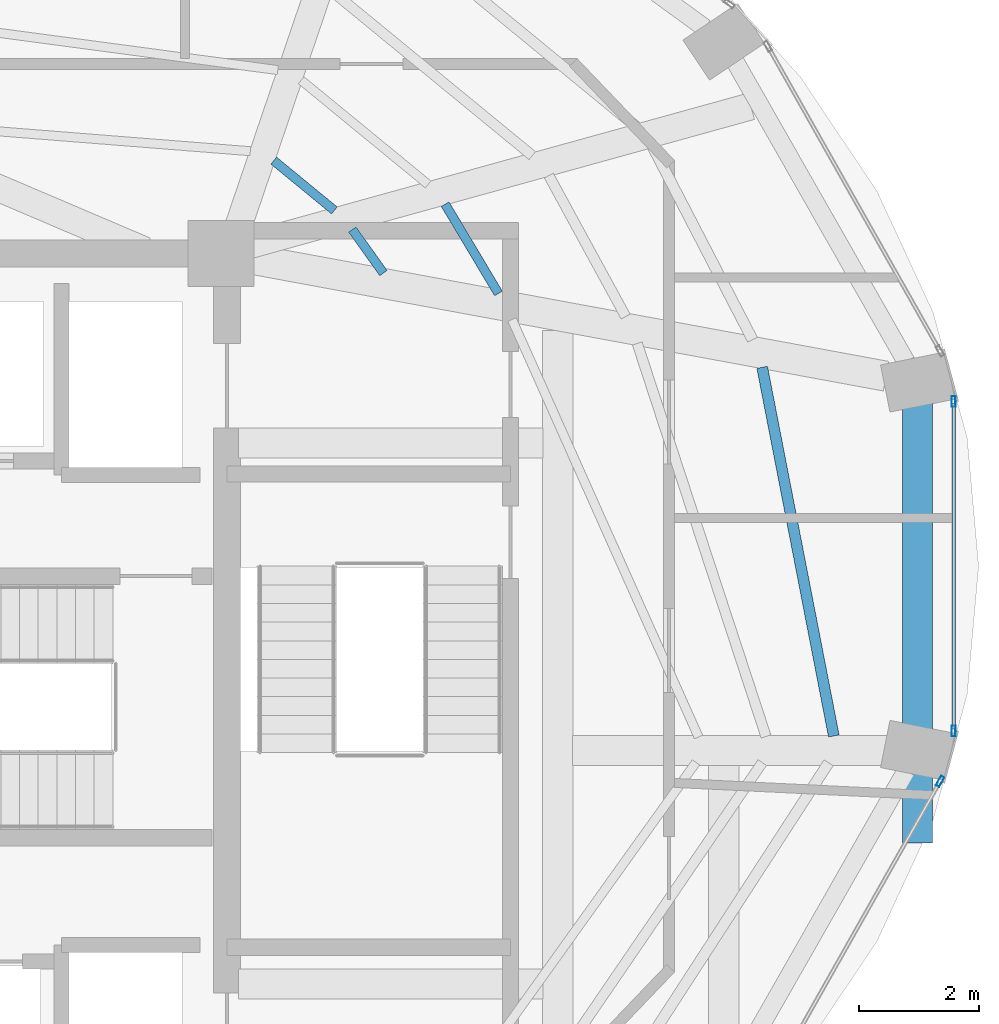
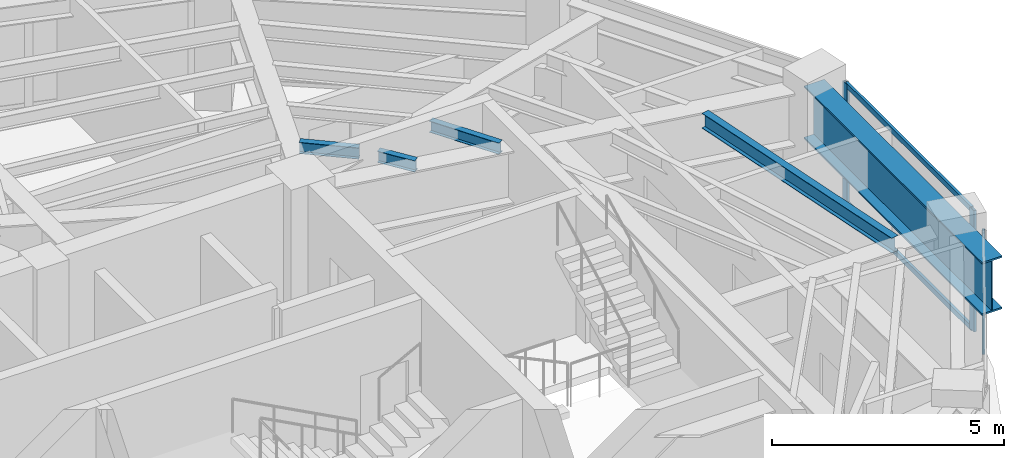
# One storey, part 15 of 23: 5 beams, 5 members, 2 elements without a shape of their own.
"""IFC4 building model written with IfcOpenShell, lengths in metres."""

from ifc_helpers import new_model, si_unit, direction, frame, origin, origin_2d, place, context, subcontext, project, spatial, hollow_rectangle, i_section, extrude, material, layer, layer_set, material_profile, profile_set, type_object, element, aggregate, save


model = new_model("IFC4")

# Units and contexts
model_context = context("Model", 3, precision=1e-05, world=origin(), true_north=direction((0.0, 1.0)))
body_context = subcontext(model_context, "Body", "Model", "MODEL_VIEW")
ifc_project = project(units=[si_unit("LENGTHUNIT", "METRE"), si_unit("AREAUNIT", "SQUARE_METRE"), si_unit("VOLUMEUNIT", "CUBIC_METRE"), si_unit("PLANEANGLEUNIT", "RADIAN"), si_unit("MASSUNIT", "GRAM", prefix="KILO")], contexts=[model_context])

# Site, building, storey
site_placement = place(None, origin())
site = spatial("IfcSite", under=ifc_project, at=site_placement, CompositionType="ELEMENT")
building_placement = place(site_placement, origin())
building = spatial("IfcBuilding", under=site, at=building_placement, Name="Lazwardi Medical Tower", CompositionType="ELEMENT")
storey_placement = place(building_placement, frame((0.0, 0.0, 265.968017578125)))
storey = spatial("IfcBuildingStorey", under=building, at=storey_placement, Name="L69", CompositionType="ELEMENT", Elevation=265.968017578125)

# Beams
ifc_material_1 = material(Name="Steel S355", Category="steel")
ifc_material_profile_1 = material_profile(ifc_material_1, i_section(OverallWidth=0.179931640625, OverallDepth=0.39990234375, WebThickness=0.008544921875, FlangeThickness=0.013427734375, at=origin_2d()), Name="IPE 400")
ifc_profile_set_1 = profile_set([ifc_material_profile_1], Name="Steel S355")
beam_type_1 = type_object("IfcBeamType", Name="BM-SJ-01", PredefinedType="JOIST", material=ifc_profile_set_1)
beam_1_placement = place(storey_placement, frame((55.790283203125, 27.57763671875, 2.998046875), z_axis=(-0.190737814481, 0.981641016934, 0.0), x_axis=(-0.981641016934, -0.190737814481, 0.0)))
element("IfcBeam", 1, at=beam_1_placement, inside=storey, type_object=beam_type_1, Name="Secondary joist SJ-01 R1 B04 L69", PredefinedType="JOIST", context=body_context, shape_type="SweptSolid", body=[
    extrude(i_section(OverallWidth=0.179931640625, OverallDepth=0.39990234375, WebThickness=0.008544921875, FlangeThickness=0.013427734375, at=origin_2d()), origin(), (0.0, 0.0, 1.0), 6.2451171875),
])
ifc_material_profile_2 = material_profile(ifc_material_1, i_section(OverallWidth=0.14990234375, OverallDepth=0.300048828125, WebThickness=0.007080078125, FlangeThickness=0.0107421875, at=origin_2d()), Name="IPE 300")
ifc_profile_set_2 = profile_set([ifc_material_profile_2], Name="Steel S355")
beam_type_2 = type_object("IfcBeamType", Name="BM-SJ-03", PredefinedType="JOIST", material=ifc_profile_set_2)
beam_2_placement = place(storey_placement, frame((50.213623046875, 34.93603515625, 3.048095703125), z_axis=(-0.512791720951, 0.85851304645, 0.0), x_axis=(-0.85851304645, -0.512791720951, 0.0)))
element("IfcBeam", 2, at=beam_2_placement, inside=storey, type_object=beam_type_2, Name="Secondary joist SJ-03 R3 B05 L69", PredefinedType="JOIST", context=body_context, shape_type="SweptSolid", body=[
    extrude(i_section(OverallWidth=0.14990234375, OverallDepth=0.300048828125, WebThickness=0.007080078125, FlangeThickness=0.0107421875, at=origin_2d()), origin(), (0.0, 0.0, 1.0), 1.728759765625),
])
beam_3_placement = place(storey_placement, frame((48.30078125, 35.27490234375, 3.048095703125), z_axis=(-0.581757236651, 0.813362476147, 0.0), x_axis=(-0.813362476147, -0.581757236651, 0.0)))
element("IfcBeam", 3, at=beam_3_placement, inside=storey, type_object=beam_type_2, Name="Secondary joist SJ-03 R4 B05 L69", PredefinedType="JOIST", context=body_context, shape_type="SweptSolid", body=[
    extrude(i_section(OverallWidth=0.14990234375, OverallDepth=0.300048828125, WebThickness=0.007080078125, FlangeThickness=0.0107421875, at=origin_2d()), origin(), (0.0, 0.0, 1.0), 0.8896484375),
])
beam_4_placement = place(storey_placement, frame((47.4853515625, 36.31689453125, 3.048095703125), z_axis=(-0.772939253689, 0.63448003129, 0.0), x_axis=(-0.63448003129, -0.772939253689, 0.0)))
element("IfcBeam", 4, at=beam_4_placement, inside=storey, type_object=beam_type_2, Name="Secondary joist SJ-03 R4 B06 L69", PredefinedType="JOIST", context=body_context, shape_type="SweptSolid", body=[
    extrude(i_section(OverallWidth=0.14990234375, OverallDepth=0.300048828125, WebThickness=0.007080078125, FlangeThickness=0.0107421875, at=origin_2d()), origin(), (0.0, 0.0, 1.0), 1.304931640625),
])
ifc_material_2 = material(Name="Steel S460", Category="steel")
ifc_material_profile_3 = material_profile(ifc_material_2, i_section(OverallWidth=0.5, OverallDepth=1.39990234375, WebThickness=0.028076171875, FlangeThickness=0.044921875, at=origin_2d()), Name="PG 1400x500")
ifc_profile_set_3 = profile_set([ifc_material_profile_3], Name="Steel S460")
beam_type_3 = type_object("IfcBeamType", Name="BM-TG-01", PredefinedType="BEAM", material=ifc_profile_set_3)
beam_5_placement = place(storey_placement, frame((57.18505859375, 25.800048828125, 2.498046875), z_axis=(0.0, 1.0, 0.0), x_axis=(-1.0, 0.0, 0.0)))
element("IfcBeam", 5, at=beam_5_placement, inside=storey, type_object=beam_type_3, Name="Transfer girder TG-01 east setback edge L69", PredefinedType="BEAM", context=body_context, shape_type="SweptSolid", body=[
    extrude(i_section(OverallWidth=0.5, OverallDepth=1.39990234375, WebThickness=0.028076171875, FlangeThickness=0.044921875, at=origin_2d()), origin(), (0.0, 0.0, 1.0), 7.679931640625),
])

# Curtain wall, member
ifc_material_3 = material(Name="Anodised bronze aluminium and solar control glazing", Category="aluminium")
ifc_layer = layer(ifc_material_3, 0.18994140625)
ifc_layer_set = layer_set([ifc_layer], Name="Anodised bronze aluminium and solar control glazing")
curtain_wall_type = type_object("IfcCurtainWallType", Name="CW-SYS-04", PredefinedType="NOTDEFINED", material=ifc_layer_set)
curtain_wall_1_placement = place(storey_placement, origin())
curtain_wall_1 = element("IfcCurtainWall", 6, at=curtain_wall_1_placement, inside=storey, type_object=curtain_wall_type, Name="L69 Unitised bronze curtain wall CW-04", PredefinedType="NOTDEFINED")
ifc_material_4 = material(Name="Anodised bronze aluminium", Category="aluminium")
ifc_material_profile_4 = material_profile(ifc_material_4, hollow_rectangle(XDim=0.06494140625, YDim=0.179931640625, WallThickness=0.00390625, at=origin_2d()), Name="ALU-MULLION 180x65x4")
ifc_profile_set_4 = profile_set([ifc_material_profile_4], Name="Anodised bronze aluminium")
member_type_1 = type_object("IfcMemberType", Name="CW-MUL-03", PredefinedType="MULLION", material=ifc_profile_set_4)
member_1_placement = place(storey_placement, frame((57.557373046875, 26.82177734375, 0.0), z_axis=(0.0, 0.0, 1.0), x_axis=(-0.870651436011, 0.491900474661, 0.0)))
member_1 = element("IfcMember", 7, at=member_1_placement, type_object=member_type_1, Name="CW-04 mullion 2", PredefinedType="MULLION", context=body_context, shape_type="SweptSolid", body=[
    extrude(hollow_rectangle(XDim=0.06494140625, YDim=0.179931640625, WallThickness=0.00390625, at=origin_2d()), origin(), (0.0, 0.0, 1.0), 3.197998046875),
])
aggregate(curtain_wall_1, [member_1])

# Curtain wall, members
curtain_wall_2_placement = place(storey_placement, origin())
curtain_wall_2 = element("IfcCurtainWall", 8, at=curtain_wall_2_placement, inside=storey, type_object=curtain_wall_type, Name="L69 Unitised bronze curtain wall CW-04", PredefinedType="NOTDEFINED")
member_2_placement = place(storey_placement, frame((57.7841796875, 27.659423828125, 0.0), z_axis=(0.0, 0.0, 1.0), x_axis=(-1.0, 0.0, 0.0)))
member_2 = element("IfcMember", 9, at=member_2_placement, type_object=member_type_1, Name="CW-04 mullion 1", PredefinedType="MULLION", context=body_context, shape_type="SweptSolid", body=[
    extrude(hollow_rectangle(XDim=0.06494140625, YDim=0.179931640625, WallThickness=0.00390625, at=origin_2d()), origin(), (0.0, 0.0, 1.0), 3.197998046875),
])
member_3_placement = place(storey_placement, frame((57.7841796875, 33.140380859375, 0.0), z_axis=(0.0, 0.0, 1.0), x_axis=(-1.0, 0.0, 0.0)))
member_3 = element("IfcMember", 10, at=member_3_placement, type_object=member_type_1, Name="CW-04 mullion 2", PredefinedType="MULLION", context=body_context, shape_type="SweptSolid", body=[
    extrude(hollow_rectangle(XDim=0.06494140625, YDim=0.179931640625, WallThickness=0.00390625, at=origin_2d()), origin(), (0.0, 0.0, 1.0), 3.197998046875),
])
ifc_material_profile_5 = material_profile(ifc_material_4, hollow_rectangle(XDim=0.06494140625, YDim=0.139892578125, WallThickness=0.00341796875, at=origin_2d()), Name="ALU-TRANSOM 140x65x3.5")
ifc_profile_set_5 = profile_set([ifc_material_profile_5], Name="Anodised bronze aluminium")
member_type_2 = type_object("IfcMemberType", Name="CW-TRN-03", PredefinedType="USERDEFINED", material=ifc_profile_set_5)
member_4_placement = place(storey_placement, frame((57.7841796875, 27.69189453125, 0.032470703125), z_axis=(0.0, 1.0, 0.0), x_axis=(-1.0, 0.0, 0.0)))
member_4 = element("IfcMember", 11, at=member_4_placement, type_object=member_type_2, Name="CW-04 transom 1.1", ObjectType="TRANSOM", PredefinedType="USERDEFINED", context=body_context, shape_type="SweptSolid", body=[
    extrude(hollow_rectangle(XDim=0.06494140625, YDim=0.139892578125, WallThickness=0.00341796875, at=origin_2d()), origin(), (0.0, 0.0, 1.0), 5.416015625),
])
member_5_placement = place(storey_placement, frame((57.7841796875, 27.69189453125, 3.16552734375), z_axis=(0.0, 1.0, 0.0), x_axis=(-1.0, 0.0, 0.0)))
member_5 = element("IfcMember", 12, at=member_5_placement, type_object=member_type_2, Name="CW-04 transom 1.2", ObjectType="TRANSOM", PredefinedType="USERDEFINED", context=body_context, shape_type="SweptSolid", body=[
    extrude(hollow_rectangle(XDim=0.06494140625, YDim=0.139892578125, WallThickness=0.00341796875, at=origin_2d()), origin(), (0.0, 0.0, 1.0), 5.416015625),
])
aggregate(curtain_wall_2, [member_2, member_3, member_4, member_5])

save(model, "model.ifc")
